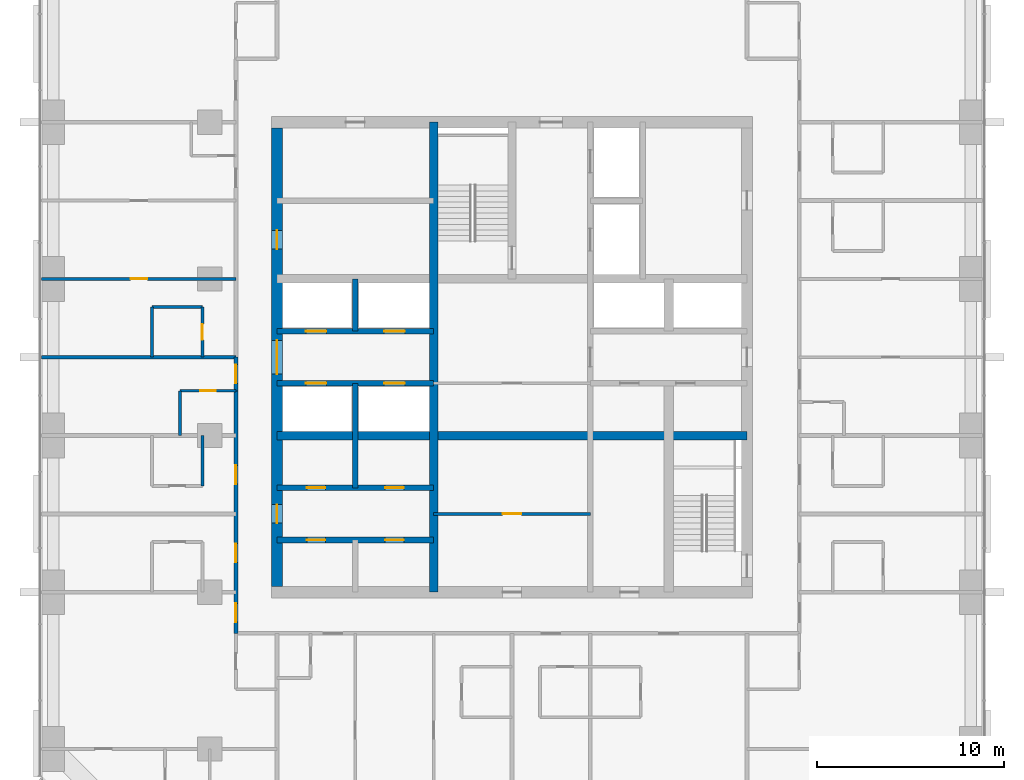
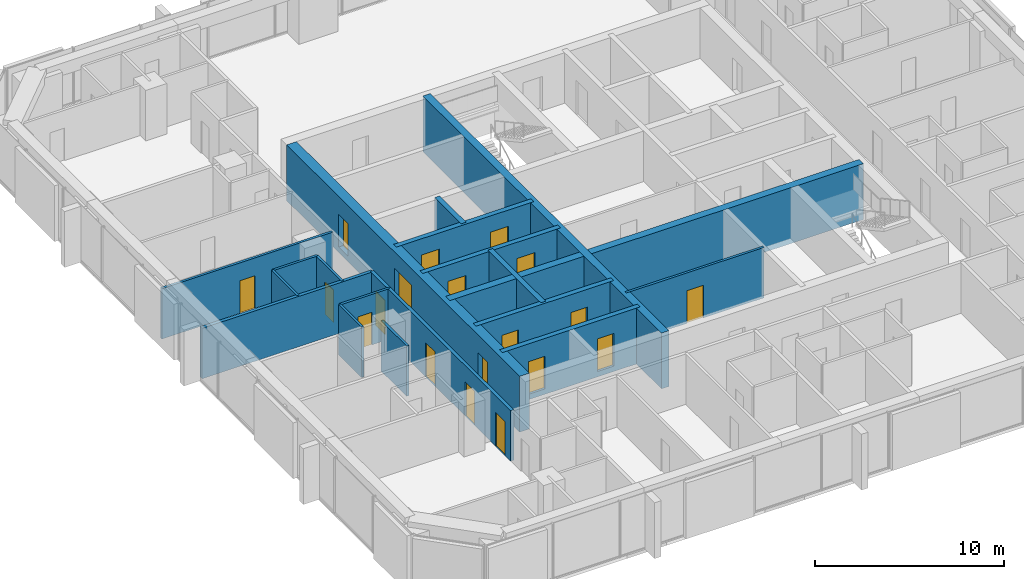
# One storey, part 9 of 13: 20 walls, 19 doors, 19 openings.
"""IFC4 building model written with IfcOpenShell, lengths in metres."""

from ifc_helpers import new_model, si_unit, direction, frame, frame_2d, origin, place, context, subcontext, project, spatial, rectangle, extrude, material, layer, layer_set, type_object, element, fill, save


model = new_model("IFC4")

# Units and contexts
model_context = context("Model", 3, precision=1e-05, world=origin(), true_north=direction((0.0, 1.0)))
body_context = subcontext(model_context, "Body", "Model", "MODEL_VIEW")
ifc_project = project(units=[si_unit("LENGTHUNIT", "METRE"), si_unit("AREAUNIT", "SQUARE_METRE"), si_unit("VOLUMEUNIT", "CUBIC_METRE"), si_unit("PLANEANGLEUNIT", "RADIAN"), si_unit("MASSUNIT", "GRAM", prefix="KILO")], contexts=[model_context])

# Site, building, storey
site_placement = place(None, origin())
site = spatial("IfcSite", under=ifc_project, at=site_placement, CompositionType="ELEMENT")
building_placement = place(site_placement, origin())
building = spatial("IfcBuilding", under=site, at=building_placement, Name="Dunama Terrace Hotel", CompositionType="ELEMENT")
storey_placement = place(building_placement, frame((0.0, 0.0, 205.800048828125)))
storey = spatial("IfcBuildingStorey", under=building, at=storey_placement, Name="L53", CompositionType="ELEMENT", Elevation=205.800048828125)

# Walls
ifc_material_1 = material(Name="Gypsum board partition", Category="masonry")
ifc_layer_1 = layer(ifc_material_1, 0.14990234375)
ifc_layer_set_1 = layer_set([ifc_layer_1], Name="Bathroom partition 150")
wall_type_1 = type_object("IfcWallType", Name="Bathroom partition 150", PredefinedType="PARTITIONING", material=ifc_layer_set_1)
wall_1_placement = place(storey_placement, frame((10.10009765625, 29.39990234375, 0.0), z_axis=(0.0, 0.0, 1.0), x_axis=(0.0, 1.0, 0.0)))
element("IfcWall", 1, at=wall_1_placement, inside=storey, type_object=wall_type_1, Name="Bathroom partition 150 L53", PredefinedType="PARTITIONING", context=body_context, shape_type="SweptSolid", body=[
    extrude(rectangle(XDim=2.7001953125, YDim=0.14990234375, at=frame_2d((1.35009765625, 0.0))), origin(), (0.0, 0.0, 1.0), 3.25),
])
wall_2_placement = place(storey_placement, frame((11.60009765625, 25.199951171875, 0.0), z_axis=(0.0, 0.0, 1.0), x_axis=(0.0, 1.0, 0.0)))
element("IfcWall", 2, at=wall_2_placement, inside=storey, type_object=wall_type_1, Name="Bathroom partition 150 L53", PredefinedType="PARTITIONING", context=body_context, shape_type="SweptSolid", body=[
    extrude(rectangle(XDim=2.400146484375, YDim=0.14990234375, at=frame_2d((1.2001953125, 0.0))), origin(), (0.0, 0.0, 1.0), 3.25),
])
wall_3_placement = place(storey_placement, frame((12.800048828125, 22.5, 0.0), z_axis=(0.0, 0.0, 1.0), x_axis=(0.0, 1.0, 0.0)))
element("IfcWall", 3, at=wall_3_placement, inside=storey, type_object=wall_type_1, Name="Bathroom partition 150 L53", PredefinedType="PARTITIONING", context=body_context, shape_type="SweptSolid", body=[
    extrude(rectangle(XDim=2.699951171875, YDim=0.14990234375, at=frame_2d((1.35009765625, 0.0))), origin(), (0.0, 0.0, 1.0), 3.25),
])

# Wall, opening, door
wall_4_placement = place(storey_placement, frame((12.800048828125, 29.39990234375, 0.0), z_axis=(0.0, 0.0, 1.0), x_axis=(0.0, 1.0, 0.0)))
wall_4 = element("IfcWall", 4, at=wall_4_placement, inside=storey, type_object=wall_type_1, Name="Bathroom partition 150 L53", PredefinedType="PARTITIONING", context=body_context, shape_type="SweptSolid", body=[
    extrude(rectangle(XDim=2.7001953125, YDim=0.14990234375, at=frame_2d((1.35009765625, 0.0))), origin(), (0.0, 0.0, 1.0), 3.25),
])
opening_1_placement = place(wall_4_placement, frame((0.925048828125, 0.0, 0.0)))
opening_1 = element("IfcOpeningElement", 5, at=opening_1_placement, cuts=wall_4, Name="Opening L53-54-039", PredefinedType="OPENING", context=body_context, shape_type="SweptSolid", body=[
    extrude(rectangle(XDim=0.85009765625, YDim=2.10009765625, at=frame_2d((0.425048828125, 1.050048828125))), frame((0.0, 0.0849609375, 0.0), z_axis=(0.0, -1.0, 0.0), x_axis=(1.0, 0.0, 0.0)), (0.0, 0.0, 1.0), 0.169921875),
])
ifc_material_2 = material(Name="Timber door with steel frame", Category="steel")
door_type_1 = type_object("IfcDoorType", Name="Bathroom door 850", OperationType="SINGLE_SWING_LEFT", PredefinedType="DOOR", material=ifc_material_2)
door_1_placement = place(opening_1_placement, origin())
door_1 = element("IfcDoor", 6, at=door_1_placement, inside=storey, type_object=door_type_1, Name="Door to en-suite bathroom L53-54-039, type D2", OperationType="SINGLE_SWING_LEFT", OverallHeight=2.10009765625, OverallWidth=0.85009765625, PredefinedType="DOOR", context=body_context, shape_type="SweptSolid", body=[
    extrude(rectangle(XDim=0.85009765625, YDim=2.10009765625, at=frame_2d((0.425048828125, 1.050048828125))), frame((0.0, 0.02490234375, 0.0), z_axis=(0.0, -1.0, 0.0), x_axis=(1.0, 0.0, 0.0)), (0.0, 0.0, 1.0), 0.050048828125),
])
fill(opening_1, door_1)

wall_5_placement = place(storey_placement, frame((11.60009765625, 27.60009765625, 0.0), z_axis=(0.0, 0.0, 1.0), x_axis=(1.0, 0.0, 0.0)))
wall_5 = element("IfcWall", 7, at=wall_5_placement, inside=storey, type_object=wall_type_1, Name="Bathroom partition 150 L53", PredefinedType="PARTITIONING", context=body_context, shape_type="SweptSolid", body=[
    extrude(rectangle(XDim=3.0, YDim=0.14990234375, at=frame_2d((1.5, 0.0))), origin(), (0.0, 0.0, 1.0), 3.25),
])
opening_2_placement = place(wall_5_placement, frame((1.074951171875, 0.0, 0.0)))
opening_2 = element("IfcOpeningElement", 8, at=opening_2_placement, cuts=wall_5, Name="Opening L53-54-034", PredefinedType="OPENING", context=body_context, shape_type="SweptSolid", body=[
    extrude(rectangle(XDim=0.85009765625, YDim=2.10009765625, at=frame_2d((0.425048828125, 1.050048828125))), frame((0.0, 0.0849609375, 0.0), z_axis=(0.0, -1.0, 0.0), x_axis=(1.0, 0.0, 0.0)), (0.0, 0.0, 1.0), 0.169921875),
])
door_2_placement = place(opening_2_placement, frame((0.85009765625, 0.0, 0.0), z_axis=(0.0, 0.0, 1.0), x_axis=(-1.0, 0.0, 0.0)))
door_2 = element("IfcDoor", 9, at=door_2_placement, inside=storey, type_object=door_type_1, Name="Door to ablution room L53-54-034, type D2", OperationType="SINGLE_SWING_RIGHT", OverallHeight=2.10009765625, OverallWidth=0.85009765625, PredefinedType="DOOR", context=body_context, shape_type="SweptSolid", body=[
    extrude(rectangle(XDim=0.85009765625, YDim=2.10009765625, at=frame_2d((0.425048828125, 1.050048828125))), frame((0.0, 0.025146484375, 0.0), z_axis=(0.0, -1.0, 0.0), x_axis=(1.0, 0.0, 0.0)), (0.0, 0.0, 1.0), 0.050048828125),
])
fill(opening_2, door_2)

# Walls
wall_6_placement = place(storey_placement, frame((10.10009765625, 32.10009765625, 0.0), z_axis=(0.0, 0.0, 1.0), x_axis=(1.0, 0.0, 0.0)))
element("IfcWall", 10, at=wall_6_placement, inside=storey, type_object=wall_type_1, Name="Bathroom partition 150 L53", PredefinedType="PARTITIONING", context=body_context, shape_type="SweptSolid", body=[
    extrude(rectangle(XDim=2.699951171875, YDim=0.14990234375, at=frame_2d((1.35009765625, 0.0))), origin(), (0.0, 0.0, 1.0), 3.25),
])
ifc_material_3 = material(Name="Concrete C50/60", Category="concrete")
ifc_layer_2 = layer(ifc_material_3, 0.300048828125)
ifc_layer_set_2 = layer_set([ifc_layer_2], Name="Core inner wall 300")
wall_type_2 = type_object("IfcWallType", Name="Core inner wall 300", PredefinedType="SHEAR", material=ifc_layer_set_2)
wall_7_placement = place(storey_placement, frame((21.0, 22.39990234375, -0.35009765625), z_axis=(0.0, 0.0, 1.0), x_axis=(0.0, 1.0, 0.0)))
element("IfcWall", 11, at=wall_7_placement, inside=storey, type_object=wall_type_2, Name="Core inner wall 300 L53", PredefinedType="SHEAR", context=body_context, shape_type="SweptSolid", body=[
    extrude(rectangle(XDim=5.60009765625, YDim=0.300048828125, at=frame_2d((2.800048828125, 0.0))), origin(), (0.0, 0.0, 1.0), 3.60009765625),
])
wall_8_placement = place(storey_placement, frame((21.0, 30.800048828125, -0.35009765625), z_axis=(0.0, 0.0, 1.0), x_axis=(0.0, 1.0, 0.0)))
element("IfcWall", 12, at=wall_8_placement, inside=storey, type_object=wall_type_2, Name="Core inner wall 300 L53", PredefinedType="SHEAR", context=body_context, shape_type="SweptSolid", body=[
    extrude(rectangle(XDim=2.800048828125, YDim=0.300048828125, at=frame_2d((1.39990234375, 0.0))), origin(), (0.0, 0.0, 1.0), 3.60009765625),
])

# Wall, openings, doors
wall_9_placement = place(storey_placement, frame((16.800048828125, 19.60009765625, -0.35009765625), z_axis=(0.0, 0.0, 1.0), x_axis=(1.0, 0.0, 0.0)))
wall_9 = element("IfcWall", 13, at=wall_9_placement, inside=storey, type_object=wall_type_2, Name="Core inner wall 300 L53", PredefinedType="SHEAR", context=body_context, shape_type="SweptSolid", body=[
    extrude(rectangle(XDim=8.39990234375, YDim=0.300048828125, at=frame_2d((4.199951171875, 0.0))), origin(), (0.0, 0.0, 1.0), 3.60009765625),
])
opening_3_placement = place(wall_9_placement, frame((1.60009765625, 0.0, 0.35009765625)))
opening_3 = element("IfcOpeningElement", 14, at=opening_3_placement, cuts=wall_9, Name="Opening L53-54-061", PredefinedType="OPENING", context=body_context, shape_type="SweptSolid", body=[
    extrude(rectangle(XDim=1.0, YDim=2.10009765625, at=frame_2d((0.5, 1.050048828125))), frame((0.0, 0.159912109375, 0.0), z_axis=(0.0, -1.0, 0.0), x_axis=(1.0, 0.0, 0.0)), (0.0, 0.0, 1.0), 0.320068359375),
])
opening_4_placement = place(wall_9_placement, frame((5.800048828125, 0.0, 0.35009765625)))
opening_4 = element("IfcOpeningElement", 15, at=opening_4_placement, cuts=wall_9, Name="Opening L53-54-062", PredefinedType="OPENING", context=body_context, shape_type="SweptSolid", body=[
    extrude(rectangle(XDim=1.0, YDim=2.10009765625, at=frame_2d((0.5, 1.050048828125))), frame((0.0, 0.159912109375, 0.0), z_axis=(0.0, -1.0, 0.0), x_axis=(1.0, 0.0, 0.0)), (0.0, 0.0, 1.0), 0.320068359375),
])
ifc_material_4 = material(Name="Timber door with steel frame", Category="steel")
door_type_2 = type_object("IfcDoorType", Name="Service door 1000", OperationType="SINGLE_SWING_LEFT", PredefinedType="DOOR", material=ifc_material_4)
door_3_placement = place(opening_3_placement, frame((1.0, 0.0, 0.0), z_axis=(0.0, 0.0, 1.0), x_axis=(-1.0, 0.0, 0.0)))
door_3 = element("IfcDoor", 16, at=door_3_placement, inside=storey, type_object=door_type_2, Name="Door to service riser L53-54-061, type D7", OperationType="SINGLE_SWING_RIGHT", OverallHeight=2.10009765625, OverallWidth=1.0, PredefinedType="DOOR", context=body_context, shape_type="SweptSolid", body=[
    extrude(rectangle(XDim=1.0, YDim=2.10009765625, at=frame_2d((0.5, 1.050048828125))), frame((0.0, 0.025146484375, 0.0), z_axis=(0.0, -1.0, 0.0), x_axis=(1.0, 0.0, 0.0)), (0.0, 0.0, 1.0), 0.050048828125),
])
fill(opening_3, door_3)
door_4_placement = place(opening_4_placement, frame((1.0, 0.0, 0.0), z_axis=(0.0, 0.0, 1.0), x_axis=(-1.0, 0.0, 0.0)))
door_4 = element("IfcDoor", 17, at=door_4_placement, inside=storey, type_object=door_type_2, Name="Door to staff accessible wc L53-54-062, type D7", OperationType="SINGLE_SWING_LEFT", OverallHeight=2.10009765625, OverallWidth=1.0, PredefinedType="DOOR", context=body_context, shape_type="SweptSolid", body=[
    extrude(rectangle(XDim=1.0, YDim=2.10009765625, at=frame_2d((0.5, 1.050048828125))), frame((0.0, 0.025146484375, 0.0), z_axis=(0.0, -1.0, 0.0), x_axis=(1.0, 0.0, 0.0)), (0.0, 0.0, 1.0), 0.050048828125),
])
fill(opening_4, door_4)

wall_10_placement = place(storey_placement, frame((16.800048828125, 22.39990234375, -0.35009765625), z_axis=(0.0, 0.0, 1.0), x_axis=(1.0, 0.0, 0.0)))
wall_10 = element("IfcWall", 18, at=wall_10_placement, inside=storey, type_object=wall_type_2, Name="Core inner wall 300 L53", PredefinedType="SHEAR", context=body_context, shape_type="SweptSolid", body=[
    extrude(rectangle(XDim=8.39990234375, YDim=0.300048828125, at=frame_2d((4.199951171875, 0.0))), origin(), (0.0, 0.0, 1.0), 3.60009765625),
])
opening_5_placement = place(wall_10_placement, frame((1.60009765625, 0.0, 0.35009765625)))
opening_5 = element("IfcOpeningElement", 19, at=opening_5_placement, cuts=wall_10, Name="Opening L53-54-063", PredefinedType="OPENING", context=body_context, shape_type="SweptSolid", body=[
    extrude(rectangle(XDim=1.0, YDim=2.10009765625, at=frame_2d((0.5, 1.050048828125))), frame((0.0, 0.159912109375, 0.0), z_axis=(0.0, -1.0, 0.0), x_axis=(1.0, 0.0, 0.0)), (0.0, 0.0, 1.0), 0.320068359375),
])
opening_6_placement = place(wall_10_placement, frame((5.800048828125, 0.0, 0.35009765625)))
opening_6 = element("IfcOpeningElement", 20, at=opening_6_placement, cuts=wall_10, Name="Opening L53-54-064", PredefinedType="OPENING", context=body_context, shape_type="SweptSolid", body=[
    extrude(rectangle(XDim=1.0, YDim=2.10009765625, at=frame_2d((0.5, 1.050048828125))), frame((0.0, 0.159912109375, 0.0), z_axis=(0.0, -1.0, 0.0), x_axis=(1.0, 0.0, 0.0)), (0.0, 0.0, 1.0), 0.320068359375),
])
door_5_placement = place(opening_5_placement, origin())
door_5 = element("IfcDoor", 21, at=door_5_placement, inside=storey, type_object=door_type_2, Name="Door to it room L53-54-063, type D7", OperationType="SINGLE_SWING_LEFT", OverallHeight=2.10009765625, OverallWidth=1.0, PredefinedType="DOOR", context=body_context, shape_type="SweptSolid", body=[
    extrude(rectangle(XDim=1.0, YDim=2.10009765625, at=frame_2d((0.5, 1.050048828125))), frame((0.0, 0.02490234375, 0.0), z_axis=(0.0, -1.0, 0.0), x_axis=(1.0, 0.0, 0.0)), (0.0, 0.0, 1.0), 0.050048828125),
])
fill(opening_5, door_5)
door_6_placement = place(opening_6_placement, origin())
door_6 = element("IfcDoor", 22, at=door_6_placement, inside=storey, type_object=door_type_2, Name="Door to linen store L53-54-064, type D7", OperationType="SINGLE_SWING_RIGHT", OverallHeight=2.10009765625, OverallWidth=1.0, PredefinedType="DOOR", context=body_context, shape_type="SweptSolid", body=[
    extrude(rectangle(XDim=1.0, YDim=2.10009765625, at=frame_2d((0.5, 1.050048828125))), frame((0.0, 0.02490234375, 0.0), z_axis=(0.0, -1.0, 0.0), x_axis=(1.0, 0.0, 0.0)), (0.0, 0.0, 1.0), 0.050048828125),
])
fill(opening_6, door_6)

wall_11_placement = place(storey_placement, frame((16.800048828125, 28.0, -0.35009765625), z_axis=(0.0, 0.0, 1.0), x_axis=(1.0, 0.0, 0.0)))
wall_11 = element("IfcWall", 23, at=wall_11_placement, inside=storey, type_object=wall_type_2, Name="Core inner wall 300 L53", PredefinedType="SHEAR", context=body_context, shape_type="SweptSolid", body=[
    extrude(rectangle(XDim=8.39990234375, YDim=0.300048828125, at=frame_2d((4.199951171875, 0.0))), origin(), (0.0, 0.0, 1.0), 3.60009765625),
])
opening_7_placement = place(wall_11_placement, frame((1.550048828125, 0.0, 0.35009765625)))
opening_7 = element("IfcOpeningElement", 24, at=opening_7_placement, cuts=wall_11, Name="Opening L53-54-003", PredefinedType="OPENING", context=body_context, shape_type="SweptSolid", body=[
    extrude(rectangle(XDim=1.10009765625, YDim=2.199951171875, at=frame_2d((0.550048828125, 1.10009765625))), frame((0.0, 0.159912109375, 0.0), z_axis=(0.0, -1.0, 0.0), x_axis=(1.0, 0.0, 0.0)), (0.0, 0.0, 1.0), 0.320068359375),
])
opening_8_placement = place(wall_11_placement, frame((5.75, 0.0, 0.35009765625)))
opening_8 = element("IfcOpeningElement", 25, at=opening_8_placement, cuts=wall_11, Name="Opening L53-54-004", PredefinedType="OPENING", context=body_context, shape_type="SweptSolid", body=[
    extrude(rectangle(XDim=1.10009765625, YDim=2.199951171875, at=frame_2d((0.550048828125, 1.10009765625))), frame((0.0, 0.159912109375, 0.0), z_axis=(0.0, -1.0, 0.0), x_axis=(1.0, 0.0, 0.0)), (0.0, 0.0, 1.0), 0.320068359375),
])
ifc_material_5 = material(Name="Stainless steel lift door", Category="steel")
door_type_3 = type_object("IfcDoorType", Name="Lift landing door 1100", OperationType="DOUBLE_DOOR_SLIDING", PredefinedType="DOOR", material=ifc_material_5)
door_7_placement = place(opening_7_placement, origin())
door_7 = element("IfcDoor", 26, at=door_7_placement, inside=storey, type_object=door_type_3, Name="Landing door PC1 L53-54-003, type LD1", OperationType="DOUBLE_DOOR_SLIDING", OverallHeight=2.199951171875, OverallWidth=1.10009765625, PredefinedType="DOOR", context=body_context, shape_type="SweptSolid", body=[
    extrude(rectangle(XDim=1.10009765625, YDim=2.199951171875, at=frame_2d((0.550048828125, 1.10009765625))), frame((0.0, 0.02490234375, 0.0), z_axis=(0.0, -1.0, 0.0), x_axis=(1.0, 0.0, 0.0)), (0.0, 0.0, 1.0), 0.050048828125),
])
fill(opening_7, door_7)
door_8_placement = place(opening_8_placement, origin())
door_8 = element("IfcDoor", 27, at=door_8_placement, inside=storey, type_object=door_type_3, Name="Landing door PC2 L53-54-004, type LD1", OperationType="DOUBLE_DOOR_SLIDING", OverallHeight=2.199951171875, OverallWidth=1.10009765625, PredefinedType="DOOR", context=body_context, shape_type="SweptSolid", body=[
    extrude(rectangle(XDim=1.10009765625, YDim=2.199951171875, at=frame_2d((0.550048828125, 1.10009765625))), frame((0.0, 0.02490234375, 0.0), z_axis=(0.0, -1.0, 0.0), x_axis=(1.0, 0.0, 0.0)), (0.0, 0.0, 1.0), 0.050048828125),
])
fill(opening_8, door_8)

wall_12_placement = place(storey_placement, frame((16.800048828125, 30.800048828125, -0.35009765625), z_axis=(0.0, 0.0, 1.0), x_axis=(1.0, 0.0, 0.0)))
wall_12 = element("IfcWall", 28, at=wall_12_placement, inside=storey, type_object=wall_type_2, Name="Core inner wall 300 L53", PredefinedType="SHEAR", context=body_context, shape_type="SweptSolid", body=[
    extrude(rectangle(XDim=8.39990234375, YDim=0.300048828125, at=frame_2d((4.199951171875, 0.0))), origin(), (0.0, 0.0, 1.0), 3.60009765625),
])
opening_9_placement = place(wall_12_placement, frame((1.550048828125, 0.0, 0.35009765625)))
opening_9 = element("IfcOpeningElement", 29, at=opening_9_placement, cuts=wall_12, Name="Opening L53-54-005", PredefinedType="OPENING", context=body_context, shape_type="SweptSolid", body=[
    extrude(rectangle(XDim=1.10009765625, YDim=2.199951171875, at=frame_2d((0.550048828125, 1.10009765625))), frame((0.0, 0.159912109375, 0.0), z_axis=(0.0, -1.0, 0.0), x_axis=(1.0, 0.0, 0.0)), (0.0, 0.0, 1.0), 0.320068359375),
])
opening_10_placement = place(wall_12_placement, frame((5.75, 0.0, 0.35009765625)))
opening_10 = element("IfcOpeningElement", 30, at=opening_10_placement, cuts=wall_12, Name="Opening L53-54-006", PredefinedType="OPENING", context=body_context, shape_type="SweptSolid", body=[
    extrude(rectangle(XDim=1.10009765625, YDim=2.199951171875, at=frame_2d((0.550048828125, 1.10009765625))), frame((0.0, 0.159912109375, 0.0), z_axis=(0.0, -1.0, 0.0), x_axis=(1.0, 0.0, 0.0)), (0.0, 0.0, 1.0), 0.320068359375),
])
door_9_placement = place(opening_9_placement, origin())
door_9 = element("IfcDoor", 31, at=door_9_placement, inside=storey, type_object=door_type_3, Name="Landing door PC3 L53-54-005, type LD1", OperationType="DOUBLE_DOOR_SLIDING", OverallHeight=2.199951171875, OverallWidth=1.10009765625, PredefinedType="DOOR", context=body_context, shape_type="SweptSolid", body=[
    extrude(rectangle(XDim=1.10009765625, YDim=2.199951171875, at=frame_2d((0.550048828125, 1.10009765625))), frame((0.0, 0.02490234375, 0.0), z_axis=(0.0, -1.0, 0.0), x_axis=(1.0, 0.0, 0.0)), (0.0, 0.0, 1.0), 0.050048828125),
])
fill(opening_9, door_9)
door_10_placement = place(opening_10_placement, origin())
door_10 = element("IfcDoor", 32, at=door_10_placement, inside=storey, type_object=door_type_3, Name="Landing door PC4 L53-54-006, type LD1", OperationType="DOUBLE_DOOR_SLIDING", OverallHeight=2.199951171875, OverallWidth=1.10009765625, PredefinedType="DOOR", context=body_context, shape_type="SweptSolid", body=[
    extrude(rectangle(XDim=1.10009765625, YDim=2.199951171875, at=frame_2d((0.550048828125, 1.10009765625))), frame((0.0, 0.02490234375, 0.0), z_axis=(0.0, -1.0, 0.0), x_axis=(1.0, 0.0, 0.0)), (0.0, 0.0, 1.0), 0.050048828125),
])
fill(opening_10, door_10)

# Walls
ifc_material_6 = material(Name="Concrete C50/60", Category="concrete")
ifc_layer_3 = layer(ifc_material_6, 0.449951171875)
ifc_layer_set_3 = layer_set([ifc_layer_3], Name="Core inner wall 450")
wall_type_3 = type_object("IfcWallType", Name="Core inner wall 450", PredefinedType="SHEAR", material=ifc_layer_set_3)
for number, where, z_axis, x_axis, name in (
    (33, (25.199951171875, 16.800048828125, -0.35009765625), (0.0, 0.0, 1.0), (0.0, 1.0, 0.0), "Core inner wall 450 L53"),
    (34, (16.800048828125, 25.199951171875, -0.35009765625), (0.0, 0.0, 1.0), (1.0, 0.0, 0.0), "Core inner wall 450 L53"),
):
    element("IfcWall", number, at=place(storey_placement, frame(where, z_axis=z_axis, x_axis=x_axis)), inside=storey, type_object=wall_type_3, Name=name, PredefinedType="SHEAR", context=body_context, shape_type="SweptSolid", body=[
        extrude(rectangle(XDim=25.199951171875, YDim=0.449951171875, at=frame_2d((12.60009765625, 0.0))), origin(), (0.0, 0.0, 1.0), 3.60009765625),
    ])

# Wall, openings, doors
ifc_material_7 = material(Name="Concrete C50/60", Category="concrete")
ifc_layer_4 = layer(ifc_material_7, 0.60009765625)
ifc_layer_set_4 = layer_set([ifc_layer_4], Name="Core wall 600")
wall_type_4 = type_object("IfcWallType", Name="Core wall 600", PredefinedType="SHEAR", material=ifc_layer_set_4)
wall_13_placement = place(storey_placement, frame((16.800048828125, 41.699951171875, -0.35009765625), z_axis=(0.0, 0.0, 1.0), x_axis=(0.0, -1.0, 0.0)))
wall_13 = element("IfcWall", 35, at=wall_13_placement, inside=storey, type_object=wall_type_4, Name="Core wall west L53", PredefinedType="SHEAR", context=body_context, shape_type="SweptSolid", body=[
    extrude(rectangle(XDim=24.599853515625, YDim=0.60009765625, at=frame_2d((12.2998046875, 0.0))), origin(), (0.0, 0.0, 1.0), 3.60009765625),
])
opening_11_placement = place(wall_13_placement, frame((11.39990234375, 0.0, 0.35009765625)))
opening_11 = element("IfcOpeningElement", 36, at=opening_11_placement, cuts=wall_13, Name="Opening L53-54-060", PredefinedType="OPENING", context=body_context, shape_type="SweptSolid", body=[
    extrude(rectangle(XDim=1.800048828125, YDim=2.199951171875, at=frame_2d((0.89990234375, 1.10009765625))), frame((0.0, 0.31005859375, 0.0), z_axis=(0.0, -1.0, 0.0), x_axis=(1.0, 0.0, 0.0)), (0.0, 0.0, 1.0), 0.6201171875),
])
opening_12_placement = place(wall_13_placement, frame((20.199951171875, 0.0, 0.35009765625)))
opening_12 = element("IfcOpeningElement", 37, at=opening_12_placement, cuts=wall_13, Name="Opening L53-54-065", PredefinedType="OPENING", context=body_context, shape_type="SweptSolid", body=[
    extrude(rectangle(XDim=1.0, YDim=2.10009765625, at=frame_2d((0.5, 1.050048828125))), frame((0.0, 0.31005859375, 0.0), z_axis=(0.0, -1.0, 0.0), x_axis=(1.0, 0.0, 0.0)), (0.0, 0.0, 1.0), 0.6201171875),
])
opening_13_placement = place(wall_13_placement, frame((5.5, 0.0, 0.35009765625)))
opening_13 = element("IfcOpeningElement", 38, at=opening_13_placement, cuts=wall_13, Name="Opening L53-54-066", PredefinedType="OPENING", context=body_context, shape_type="SweptSolid", body=[
    extrude(rectangle(XDim=1.0, YDim=2.10009765625, at=frame_2d((0.5, 1.050048828125))), frame((0.0, 0.31005859375, 0.0), z_axis=(0.0, -1.0, 0.0), x_axis=(1.0, 0.0, 0.0)), (0.0, 0.0, 1.0), 0.6201171875),
])
ifc_material_8 = material(Name="Timber door with steel frame", Category="steel")
door_type_4 = type_object("IfcDoorType", Name="Lift lobby double door 1800", OperationType="DOUBLE_DOOR_DOUBLE_SWING", PredefinedType="DOOR", material=ifc_material_8)
door_11_placement = place(opening_11_placement, origin())
door_11 = element("IfcDoor", 39, at=door_11_placement, inside=storey, type_object=door_type_4, Name="Door to lift lobby L53-54-060, type D3", OperationType="DOUBLE_DOOR_DOUBLE_SWING", OverallHeight=2.199951171875, OverallWidth=1.800048828125, PredefinedType="DOOR", context=body_context, shape_type="SweptSolid", body=[
    extrude(rectangle(XDim=1.800048828125, YDim=2.199951171875, at=frame_2d((0.89990234375, 1.10009765625))), frame((0.0, 0.02490234375, 0.0), z_axis=(0.0, -1.0, 0.0), x_axis=(1.0, 0.0, 0.0)), (0.0, 0.0, 1.0), 0.050048828125),
])
fill(opening_11, door_11)
door_12_placement = place(opening_12_placement, origin())
door_12 = element("IfcDoor", 40, at=door_12_placement, inside=storey, type_object=door_type_2, Name="Door to back-of-house lobby L53-54-065, type D7", OperationType="SINGLE_SWING_LEFT", OverallHeight=2.10009765625, OverallWidth=1.0, PredefinedType="DOOR", context=body_context, shape_type="SweptSolid", body=[
    extrude(rectangle(XDim=1.0, YDim=2.10009765625, at=frame_2d((0.5, 1.050048828125))), frame((0.0, 0.02490234375, 0.0), z_axis=(0.0, -1.0, 0.0), x_axis=(1.0, 0.0, 0.0)), (0.0, 0.0, 1.0), 0.050048828125),
])
fill(opening_12, door_12)
door_13_placement = place(opening_13_placement, origin())
door_13 = element("IfcDoor", 41, at=door_13_placement, inside=storey, type_object=door_type_2, Name="Door to electrical room L53-54-066, type D7", OperationType="SINGLE_SWING_RIGHT", OverallHeight=2.10009765625, OverallWidth=1.0, PredefinedType="DOOR", context=body_context, shape_type="SweptSolid", body=[
    extrude(rectangle(XDim=1.0, YDim=2.10009765625, at=frame_2d((0.5, 1.050048828125))), frame((0.0, 0.02490234375, 0.0), z_axis=(0.0, -1.0, 0.0), x_axis=(1.0, 0.0, 0.0)), (0.0, 0.0, 1.0), 0.050048828125),
])
fill(opening_13, door_13)

ifc_material_9 = material(Name="Concrete blockwork", Category="masonry")
ifc_layer_5 = layer(ifc_material_9, 0.199951171875)
ifc_layer_set_5 = layer_set([ifc_layer_5], Name="Corridor partition 200")
wall_type_5 = type_object("IfcWallType", Name="Corridor partition 200", PredefinedType="PARTITIONING", material=ifc_layer_set_5)
wall_14_placement = place(storey_placement, frame((14.60009765625, 14.60009765625, 0.0), z_axis=(0.0, 0.0, 1.0), x_axis=(0.0, 1.0, 0.0)))
wall_14 = element("IfcWall", 42, at=wall_14_placement, inside=storey, type_object=wall_type_5, Name="Corridor partition 200 L53", PredefinedType="PARTITIONING", context=body_context, shape_type="SweptSolid", body=[
    extrude(rectangle(XDim=13.0, YDim=0.199951171875, at=frame_2d((6.5, 0.0))), origin(), (0.0, 0.0, 1.0), 3.25),
])
opening_14_placement = place(wall_14_placement, frame((3.800048828125, 0.0, 0.0)))
opening_14 = element("IfcOpeningElement", 43, at=opening_14_placement, cuts=wall_14, Name="Opening L53-54-029", PredefinedType="OPENING", context=body_context, shape_type="SweptSolid", body=[
    extrude(rectangle(XDim=1.0, YDim=2.199951171875, at=frame_2d((0.5, 1.10009765625))), frame((0.0, 0.10986328125, 0.0), z_axis=(0.0, -1.0, 0.0), x_axis=(1.0, 0.0, 0.0)), (0.0, 0.0, 1.0), 0.219970703125),
])
opening_15_placement = place(wall_14_placement, frame((8.0, 0.0, 0.0)))
opening_15 = element("IfcOpeningElement", 44, at=opening_15_placement, cuts=wall_14, Name="Opening L53-54-031", PredefinedType="OPENING", context=body_context, shape_type="SweptSolid", body=[
    extrude(rectangle(XDim=1.0, YDim=2.199951171875, at=frame_2d((0.5, 1.10009765625))), frame((0.0, 0.10986328125, 0.0), z_axis=(0.0, -1.0, 0.0), x_axis=(1.0, 0.0, 0.0)), (0.0, 0.0, 1.0), 0.219970703125),
])
opening_16_placement = place(wall_14_placement, frame((0.60009765625, 0.0, 0.0)))
opening_16 = element("IfcOpeningElement", 45, at=opening_16_placement, cuts=wall_14, Name="Opening L53-54-040", PredefinedType="OPENING", context=body_context, shape_type="SweptSolid", body=[
    extrude(rectangle(XDim=1.0, YDim=2.199951171875, at=frame_2d((0.5, 1.10009765625))), frame((0.0, 0.10986328125, 0.0), z_axis=(0.0, -1.0, 0.0), x_axis=(1.0, 0.0, 0.0)), (0.0, 0.0, 1.0), 0.219970703125),
])
ifc_material_10 = material(Name="Timber door with steel frame", Category="steel")
door_type_5 = type_object("IfcDoorType", Name="Guest room door 1000", OperationType="SINGLE_SWING_LEFT", PredefinedType="DOOR", material=ifc_material_10)
door_14_placement = place(opening_14_placement, origin())
door_14 = element("IfcDoor", 46, at=door_14_placement, inside=storey, type_object=door_type_5, Name="Door to club room L53-54-029, type D1", OperationType="SINGLE_SWING_LEFT", OverallHeight=2.199951171875, OverallWidth=1.0, PredefinedType="DOOR", context=body_context, shape_type="SweptSolid", body=[
    extrude(rectangle(XDim=1.0, YDim=2.199951171875, at=frame_2d((0.5, 1.10009765625))), frame((0.0, 0.02490234375, 0.0), z_axis=(0.0, -1.0, 0.0), x_axis=(1.0, 0.0, 0.0)), (0.0, 0.0, 1.0), 0.050048828125),
])
fill(opening_14, door_14)
door_15_placement = place(opening_15_placement, origin())
door_15 = element("IfcDoor", 47, at=door_15_placement, inside=storey, type_object=door_type_5, Name="Door to club room L53-54-031, type D1", OperationType="SINGLE_SWING_LEFT", OverallHeight=2.199951171875, OverallWidth=1.0, PredefinedType="DOOR", context=body_context, shape_type="SweptSolid", body=[
    extrude(rectangle(XDim=1.0, YDim=2.199951171875, at=frame_2d((0.5, 1.10009765625))), frame((0.0, 0.02490234375, 0.0), z_axis=(0.0, -1.0, 0.0), x_axis=(1.0, 0.0, 0.0)), (0.0, 0.0, 1.0), 0.050048828125),
])
fill(opening_15, door_15)
door_16_placement = place(opening_16_placement, origin())
door_16 = element("IfcDoor", 48, at=door_16_placement, inside=storey, type_object=door_type_5, Name="Door to corner suite living room L53-54-040, type D1", OperationType="SINGLE_SWING_LEFT", OverallHeight=2.199951171875, OverallWidth=1.0, PredefinedType="DOOR", context=body_context, shape_type="SweptSolid", body=[
    extrude(rectangle(XDim=1.0, YDim=2.199951171875, at=frame_2d((0.5, 1.10009765625))), frame((0.0, 0.02490234375, 0.0), z_axis=(0.0, -1.0, 0.0), x_axis=(1.0, 0.0, 0.0)), (0.0, 0.0, 1.0), 0.050048828125),
])
fill(opening_16, door_16)

# Wall, opening, door
wall_15_placement = place(storey_placement, frame((14.60009765625, 29.39990234375, 0.0), z_axis=(0.0, 0.0, 1.0), x_axis=(0.0, -1.0, 0.0)))
wall_15 = element("IfcWall", 49, at=wall_15_placement, inside=storey, type_object=wall_type_5, Name="Corridor partition 200 L53", PredefinedType="PARTITIONING", context=body_context, shape_type="SweptSolid", body=[
    extrude(rectangle(XDim=1.7998046875, YDim=0.199951171875, at=frame_2d((0.89990234375, 0.0))), origin(), (0.0, 0.0, 1.0), 3.25),
])
opening_17_placement = place(wall_15_placement, frame((0.39990234375, 0.0, 0.0)))
opening_17 = element("IfcOpeningElement", 50, at=opening_17_placement, cuts=wall_15, Name="Opening L53-54-033", PredefinedType="OPENING", context=body_context, shape_type="SweptSolid", body=[
    extrude(rectangle(XDim=1.0, YDim=2.199951171875, at=frame_2d((0.5, 1.10009765625))), frame((0.0, 0.10986328125, 0.0), z_axis=(0.0, -1.0, 0.0), x_axis=(1.0, 0.0, 0.0)), (0.0, 0.0, 1.0), 0.219970703125),
])
door_17_placement = place(opening_17_placement, origin())
door_17 = element("IfcDoor", 51, at=door_17_placement, inside=storey, type_object=door_type_5, Name="Door to prayer room L53-54-033, type D1", OperationType="SINGLE_SWING_LEFT", OverallHeight=2.199951171875, OverallWidth=1.0, PredefinedType="DOOR", context=body_context, shape_type="SweptSolid", body=[
    extrude(rectangle(XDim=1.0, YDim=2.199951171875, at=frame_2d((0.5, 1.10009765625))), frame((0.0, 0.02490234375, 0.0), z_axis=(0.0, -1.0, 0.0), x_axis=(1.0, 0.0, 0.0)), (0.0, 0.0, 1.0), 0.050048828125),
])
fill(opening_17, door_17)

# Wall
ifc_material_11 = material(Name="Concrete blockwork", Category="masonry")
ifc_layer_6 = layer(ifc_material_11, 0.199951171875)
ifc_layer_set_6 = layer_set([ifc_layer_6], Name="Party wall 200")
wall_type_6 = type_object("IfcWallType", Name="Party wall 200", PredefinedType="PARTITIONING", material=ifc_layer_set_6)
wall_16_placement = place(storey_placement, frame((4.181884765625, 29.39990234375, 0.0), z_axis=(0.0, 0.0, 1.0), x_axis=(1.0, 0.0, 0.0)))
element("IfcWall", 52, at=wall_16_placement, inside=storey, type_object=wall_type_6, Name="Party wall 200 L53", PredefinedType="PARTITIONING", context=body_context, shape_type="SweptSolid", body=[
    extrude(rectangle(XDim=10.418212890625, YDim=0.199951171875, at=frame_2d((5.208984375, 0.0))), origin(), (0.0, 0.0, 1.0), 3.25),
])

# Wall, opening, door
ifc_material_12 = material(Name="Gypsum board partition", Category="masonry")
ifc_layer_7 = layer(ifc_material_12, 0.14990234375)
ifc_layer_set_7 = layer_set([ifc_layer_7], Name="Room partition 150")
wall_type_7 = type_object("IfcWallType", Name="Room partition 150", PredefinedType="PARTITIONING", material=ifc_layer_set_7)
wall_17_placement = place(storey_placement, frame((25.199951171875, 21.0, 0.0), z_axis=(0.0, 0.0, 1.0), x_axis=(1.0, 0.0, 0.0)))
wall_17 = element("IfcWall", 53, at=wall_17_placement, inside=storey, type_object=wall_type_7, Name="Room partition 150 L53", PredefinedType="PARTITIONING", context=body_context, shape_type="SweptSolid", body=[
    extrude(rectangle(XDim=8.400146484375, YDim=0.14990234375, at=frame_2d((4.2001953125, 0.0))), origin(), (0.0, 0.0, 1.0), 3.25),
])
opening_18_placement = place(wall_17_placement, frame((3.699951171875, 0.0, 0.0)))
opening_18 = element("IfcOpeningElement", 54, at=opening_18_placement, cuts=wall_17, Name="Opening L53-54-076", PredefinedType="OPENING", context=body_context, shape_type="SweptSolid", body=[
    extrude(rectangle(XDim=1.0, YDim=2.10009765625, at=frame_2d((0.5, 1.050048828125))), frame((0.0, 0.0849609375, 0.0), z_axis=(0.0, -1.0, 0.0), x_axis=(1.0, 0.0, 0.0)), (0.0, 0.0, 1.0), 0.169921875),
])
door_18_placement = place(opening_18_placement, origin())
door_18 = element("IfcDoor", 55, at=door_18_placement, inside=storey, type_object=door_type_2, Name="Door to stair pressurisation fan room L53-54-076, type D7", OperationType="SINGLE_SWING_LEFT", OverallHeight=2.10009765625, OverallWidth=1.0, PredefinedType="DOOR", context=body_context, shape_type="SweptSolid", body=[
    extrude(rectangle(XDim=1.0, YDim=2.10009765625, at=frame_2d((0.5, 1.050048828125))), frame((0.0, 0.02490234375, 0.0), z_axis=(0.0, -1.0, 0.0), x_axis=(1.0, 0.0, 0.0)), (0.0, 0.0, 1.0), 0.050048828125),
])
fill(opening_18, door_18)

wall_18_placement = place(storey_placement, frame((4.181884765625, 33.60009765625, 0.0), z_axis=(0.0, 0.0, 1.0), x_axis=(1.0, 0.0, 0.0)))
wall_18 = element("IfcWall", 56, at=wall_18_placement, inside=storey, type_object=wall_type_7, Name="Room partition 150 L53", PredefinedType="PARTITIONING", context=body_context, shape_type="SweptSolid", body=[
    extrude(rectangle(XDim=10.418212890625, YDim=0.14990234375, at=frame_2d((5.208984375, 0.0))), origin(), (0.0, 0.0, 1.0), 3.25),
])
opening_19_placement = place(wall_18_placement, frame((4.76806640625, 0.0, 0.0)))
opening_19 = element("IfcOpeningElement", 57, at=opening_19_placement, cuts=wall_18, Name="Opening L53-54-038", PredefinedType="OPENING", context=body_context, shape_type="SweptSolid", body=[
    extrude(rectangle(XDim=0.89990234375, YDim=2.10009765625, at=frame_2d((0.449951171875, 1.050048828125))), frame((0.0, 0.0849609375, 0.0), z_axis=(0.0, -1.0, 0.0), x_axis=(1.0, 0.0, 0.0)), (0.0, 0.0, 1.0), 0.169921875),
])
ifc_material_13 = material(Name="Timber door with steel frame", Category="steel")
door_type_6 = type_object("IfcDoorType", Name="Suite internal door 900", OperationType="SINGLE_SWING_LEFT", PredefinedType="DOOR", material=ifc_material_13)
door_19_placement = place(opening_19_placement, frame((0.89990234375, 0.0, 0.0), z_axis=(0.0, 0.0, 1.0), x_axis=(-1.0, 0.0, 0.0)))
door_19 = element("IfcDoor", 58, at=door_19_placement, inside=storey, type_object=door_type_6, Name="Door to ambassador suite bedroom L53-54-038, type D16", OperationType="SINGLE_SWING_LEFT", OverallHeight=2.10009765625, OverallWidth=0.89990234375, PredefinedType="DOOR", context=body_context, shape_type="SweptSolid", body=[
    extrude(rectangle(XDim=0.89990234375, YDim=2.10009765625, at=frame_2d((0.449951171875, 1.050048828125))), frame((0.0, 0.025146484375, 0.0), z_axis=(0.0, -1.0, 0.0), x_axis=(1.0, 0.0, 0.0)), (0.0, 0.0, 1.0), 0.050048828125),
])
fill(opening_19, door_19)

save(model, "model.ifc")
